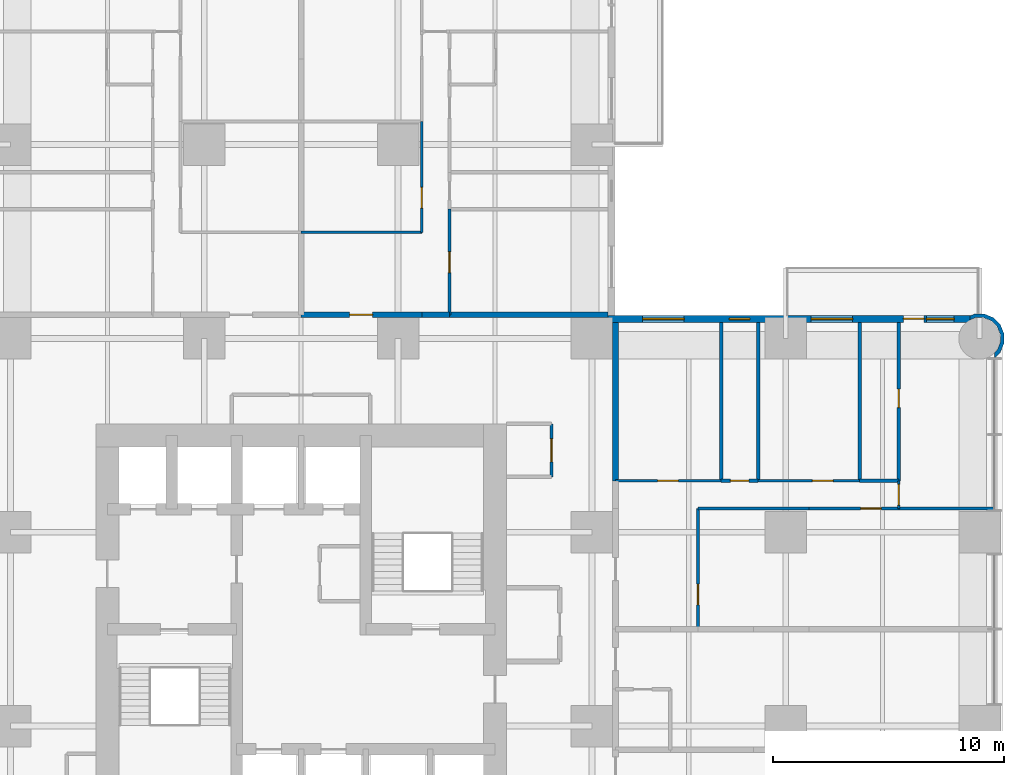
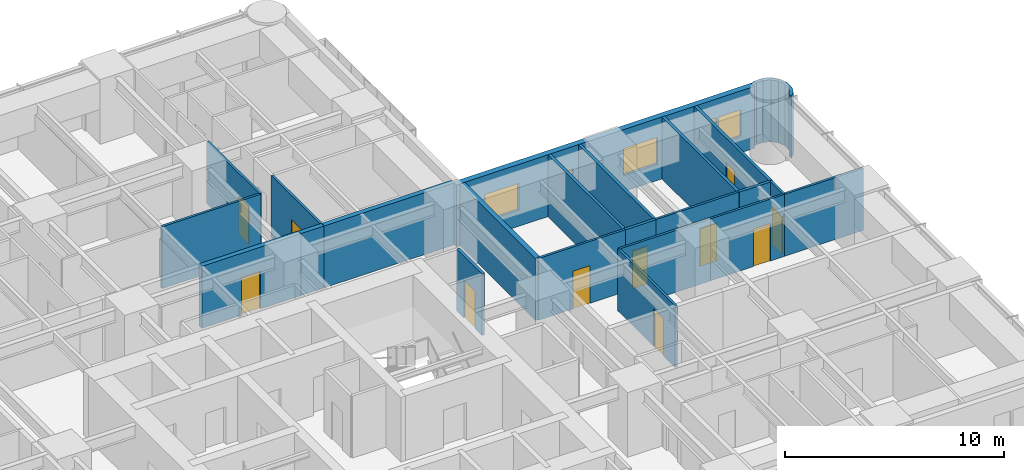
# One storey, part 14 of 17: 23 walls, 12 doors, 4 windows, 16 openings.
"""IFC4 building model written with IfcOpenShell, lengths in metres."""

from ifc_helpers import new_model, si_unit, direction, frame, frame_2d, origin, place, context, subcontext, project, spatial, polyline, rectangle, outline, extrude, material, layer, layer_set, type_object, element, fill, save


model = new_model("IFC4")

# Units and contexts
model_context = context("Model", 3, precision=1e-05, world=origin(), true_north=direction((0.0, 1.0)))
body_context = subcontext(model_context, "Body", "Model", "MODEL_VIEW")
ifc_project = project(units=[si_unit("LENGTHUNIT", "METRE"), si_unit("AREAUNIT", "SQUARE_METRE"), si_unit("VOLUMEUNIT", "CUBIC_METRE"), si_unit("PLANEANGLEUNIT", "RADIAN"), si_unit("MASSUNIT", "GRAM", prefix="KILO")], contexts=[model_context])

# Site, building, storey
site_placement = place(None, origin())
site = spatial("IfcSite", under=ifc_project, at=site_placement, CompositionType="ELEMENT")
building_placement = place(site_placement, origin())
building = spatial("IfcBuilding", under=site, at=building_placement, Name="Torre Alcanfor", CompositionType="ELEMENT")
storey_placement = place(building_placement, frame((0.0, 0.0, 59.699951171875)))
storey = spatial("IfcBuildingStorey", under=building, at=storey_placement, Name="L14", CompositionType="ELEMENT", Elevation=59.699951171875)

# Wall, opening, door
ifc_material_1 = material(Name="Concrete block masonry, hollow blocks NMX-C-404 9 MPa", Category="masonry")
ifc_layer_1 = layer(ifc_material_1, 0.25)
ifc_layer_set_1 = layer_set([ifc_layer_1], Name="Apartment entrance wall 250 EI 60")
wall_type_1 = type_object("IfcWallType", Name="Apartment entrance wall 250 EI 60", PredefinedType="PARTITIONING", material=ifc_layer_set_1)
wall_1_placement = place(storey_placement, frame((29.39990234375, 43.02490234375, 0.0), z_axis=(0.0, 0.0, 1.0), x_axis=(1.0, 0.0, 0.0)))
wall_1 = element("IfcWall", 1, at=wall_1_placement, inside=storey, type_object=wall_type_1, Name="Partition L14-CORR / L14-N2-ZAG", PredefinedType="PARTITIONING", context=body_context, shape_type="SweptSolid", body=[
    extrude(rectangle(XDim=5.22900390625, YDim=0.25, at=frame_2d((2.614501953125, 0.0))), origin(), (0.0, 0.0, 1.0), 3.449951171875),
])
opening_1_placement = place(wall_1_placement, frame((2.10009765625, 0.0, 0.0)))
opening_1 = element("IfcOpeningElement", 2, at=opening_1_placement, cuts=wall_1, Name="Opening D-A1", PredefinedType="OPENING", context=body_context, shape_type="SweptSolid", body=[
    extrude(rectangle(XDim=1.0, YDim=2.10009765625, at=frame_2d((0.5, 1.050048828125))), frame((0.0, 0.135009765625, 0.0), z_axis=(0.0, -1.0, 0.0), x_axis=(1.0, 0.0, 0.0)), (0.0, 0.0, 1.0), 0.27001953125),
])
ifc_material_2 = material(Name="Galvanised steel sheet ASTM A653", Category="steel")
door_type_1 = type_object("IfcDoorType", Name="Apartment entrance door FD60 1000x2100", OperationType="SINGLE_SWING_LEFT", PredefinedType="DOOR", material=ifc_material_2)
door_1_placement = place(opening_1_placement, origin())
door_1 = element("IfcDoor", 3, at=door_1_placement, inside=storey, type_object=door_type_1, Name="Apartment entrance L14-N2", OperationType="SINGLE_SWING_LEFT", OverallHeight=2.10009765625, OverallWidth=1.0, PredefinedType="DOOR", context=body_context, shape_type="SweptSolid", body=[
    extrude(rectangle(XDim=1.0, YDim=2.10009765625, at=frame_2d((0.5, 1.050048828125))), frame((0.0, 0.02490234375, 0.0), z_axis=(0.0, -1.0, 0.0), x_axis=(1.0, 0.0, 0.0)), (0.0, 0.0, 1.0), 0.050048828125),
])
fill(opening_1, door_1)

# Walls
wall_2_placement = place(storey_placement, frame((34.62890625, 43.02490234375, 0.0), z_axis=(0.0, 0.0, 1.0), x_axis=(1.0, 0.0, 0.0)))
element("IfcWall", 4, at=wall_2_placement, inside=storey, type_object=wall_type_1, Name="Partition L14-CORR / L14-N2-HALL", PredefinedType="PARTITIONING", context=body_context, shape_type="SweptSolid", body=[
    extrude(rectangle(XDim=1.2001953125, YDim=0.25, at=frame_2d((0.60009765625, 0.0))), origin(), (0.0, 0.0, 1.0), 3.449951171875),
])
for number, where, z_axis, x_axis, name in (
    (5, (35.8291015625, 43.02490234375, 0.0), (0.0, 0.0, 1.0), (1.0, 0.0, 0.0), "Partition L14-CORR / L14-N2-BED2"),
    (6, (43.02490234375, 42.699951171875, 0.0), (0.0, 0.0, 1.0), (0.0, -1.0, 0.0), "Partition L14-CORR / L14-E1-BED3"),
):
    element("IfcWall", number, at=place(storey_placement, frame(where, z_axis=z_axis, x_axis=x_axis)), inside=storey, type_object=wall_type_1, Name=name, PredefinedType="PARTITIONING", context=body_context, shape_type="SweptSolid", body=[
        extrude(rectangle(XDim=6.870849609375, YDim=0.25, at=frame_2d((3.435546875, 0.0))), origin(), (0.0, 0.0, 1.0), 3.449951171875),
    ])
ifc_material_3 = material(Name="Gypsum board on steel studs", Category="steel")
ifc_layer_2 = layer(ifc_material_3, 0.1201171875)
ifc_layer_set_2 = layer_set([ifc_layer_2], Name="Apartment partition 120")
wall_type_2 = type_object("IfcWallType", Name="Apartment partition 120", PredefinedType="PARTITIONING", material=ifc_layer_set_2)
wall_3_placement = place(storey_placement, frame((29.39990234375, 46.60009765625, 0.0), z_axis=(0.0, 0.0, 1.0), x_axis=(1.0, 0.0, 0.0)))
element("IfcWall", 7, at=wall_3_placement, inside=storey, type_object=wall_type_2, Name="Partition L14-N2-ZAG / L14-N2-FAMILY", PredefinedType="PARTITIONING", context=body_context, shape_type="SweptSolid", body=[
    extrude(rectangle(XDim=5.22900390625, YDim=0.1201171875, at=frame_2d((2.614501953125, 0.0))), origin(), (0.0, 0.0, 1.0), 3.449951171875),
])

# Wall, opening, door
wall_4_placement = place(storey_placement, frame((34.62890625, 51.39990234375, 0.0), z_axis=(0.0, 0.0, 1.0), x_axis=(0.0, -1.0, 0.0)))
wall_4 = element("IfcWall", 8, at=wall_4_placement, inside=storey, type_object=wall_type_2, Name="Partition L14-N2-FAMILY / L14-N2-HALL", PredefinedType="PARTITIONING", context=body_context, shape_type="SweptSolid", body=[
    extrude(rectangle(XDim=4.7998046875, YDim=0.1201171875, at=frame_2d((2.39990234375, 0.0))), origin(), (0.0, 0.0, 1.0), 3.449951171875),
])
opening_2_placement = place(wall_4_placement, frame((2.85009765625, 0.0, 0.0)))
opening_2 = element("IfcOpeningElement", 9, at=opening_2_placement, cuts=wall_4, Name="Opening D-R1", PredefinedType="OPENING", context=body_context, shape_type="SweptSolid", body=[
    extrude(rectangle(XDim=0.89990234375, YDim=2.10009765625, at=frame_2d((0.449951171875, 1.050048828125))), frame((0.0, 0.070068359375, 0.0), z_axis=(0.0, -1.0, 0.0), x_axis=(1.0, 0.0, 0.0)), (0.0, 0.0, 1.0), 0.14013671875),
])
ifc_material_4 = material(Name="Timber", Category="wood")
door_type_2 = type_object("IfcDoorType", Name="Internal door 900x2100", OperationType="SINGLE_SWING_LEFT", PredefinedType="DOOR", material=ifc_material_4)
door_2_placement = place(opening_2_placement, frame((0.89990234375, 0.0, 0.0), z_axis=(0.0, 0.0, 1.0), x_axis=(-1.0, 0.0, 0.0)))
door_2 = element("IfcDoor", 10, at=door_2_placement, inside=storey, type_object=door_type_2, Name="Door L14-N2 family", OperationType="SINGLE_SWING_LEFT", OverallHeight=2.10009765625, OverallWidth=0.89990234375, PredefinedType="DOOR", context=body_context, shape_type="SweptSolid", body=[
    extrude(rectangle(XDim=0.89990234375, YDim=2.10009765625, at=frame_2d((0.449951171875, 1.050048828125))), frame((0.0, 0.025146484375, 0.0), z_axis=(0.0, -1.0, 0.0), x_axis=(1.0, 0.0, 0.0)), (0.0, 0.0, 1.0), 0.050048828125),
])
fill(opening_2, door_2)

wall_5_placement = place(storey_placement, frame((35.8291015625, 47.60009765625, 0.0), z_axis=(0.0, 0.0, 1.0), x_axis=(0.0, -1.0, 0.0)))
wall_5 = element("IfcWall", 11, at=wall_5_placement, inside=storey, type_object=wall_type_2, Name="Partition L14-N2-HALL / L14-N2-BED2", PredefinedType="PARTITIONING", context=body_context, shape_type="SweptSolid", body=[
    extrude(rectangle(XDim=4.5751953125, YDim=0.1201171875, at=frame_2d((2.28759765625, 0.0))), origin(), (0.0, 0.0, 1.0), 3.449951171875),
])
opening_3_placement = place(wall_5_placement, frame((1.85009765625, 0.0, 0.0)))
opening_3 = element("IfcOpeningElement", 12, at=opening_3_placement, cuts=wall_5, Name="Opening D-R1", PredefinedType="OPENING", context=body_context, shape_type="SweptSolid", body=[
    extrude(rectangle(XDim=0.89990234375, YDim=2.10009765625, at=frame_2d((0.449951171875, 1.050048828125))), frame((0.0, 0.070068359375, 0.0), z_axis=(0.0, -1.0, 0.0), x_axis=(1.0, 0.0, 0.0)), (0.0, 0.0, 1.0), 0.14013671875),
])
door_3_placement = place(opening_3_placement, origin())
door_3 = element("IfcDoor", 13, at=door_3_placement, inside=storey, type_object=door_type_2, Name="Door L14-N2 bed2", OperationType="SINGLE_SWING_RIGHT", OverallHeight=2.10009765625, OverallWidth=0.89990234375, PredefinedType="DOOR", context=body_context, shape_type="SweptSolid", body=[
    extrude(rectangle(XDim=0.89990234375, YDim=2.10009765625, at=frame_2d((0.449951171875, 1.050048828125))), frame((0.0, 0.02490234375, 0.0), z_axis=(0.0, -1.0, 0.0), x_axis=(1.0, 0.0, 0.0)), (0.0, 0.0, 1.0), 0.050048828125),
])
fill(opening_3, door_3)

wall_6_placement = place(storey_placement, frame((46.60009765625, 29.39990234375, 0.0), z_axis=(0.0, 0.0, 1.0), x_axis=(0.0, 1.0, 0.0)))
wall_6 = element("IfcWall", 14, at=wall_6_placement, inside=storey, type_object=wall_type_2, Name="Partition L14-E1-ZAG / L14-E1-KITCHEN", PredefinedType="PARTITIONING", context=body_context, shape_type="SweptSolid", body=[
    extrude(rectangle(XDim=5.22900390625, YDim=0.1201171875, at=frame_2d((2.614501953125, 0.0))), origin(), (0.0, 0.0, 1.0), 3.449951171875),
])
opening_4_placement = place(wall_6_placement, frame((1.050048828125, 0.0, 0.0)))
opening_4 = element("IfcOpeningElement", 15, at=opening_4_placement, cuts=wall_6, Name="Opening D-R1", PredefinedType="OPENING", context=body_context, shape_type="SweptSolid", body=[
    extrude(rectangle(XDim=0.89990234375, YDim=2.10009765625, at=frame_2d((0.449951171875, 1.050048828125))), frame((0.0, 0.070068359375, 0.0), z_axis=(0.0, -1.0, 0.0), x_axis=(1.0, 0.0, 0.0)), (0.0, 0.0, 1.0), 0.14013671875),
])
door_4_placement = place(opening_4_placement, frame((0.89990234375, 0.0, 0.0), z_axis=(0.0, 0.0, 1.0), x_axis=(-1.0, 0.0, 0.0)))
door_4 = element("IfcDoor", 16, at=door_4_placement, inside=storey, type_object=door_type_2, Name="Door L14-E1 kitchen", OperationType="SINGLE_SWING_RIGHT", OverallHeight=2.10009765625, OverallWidth=0.89990234375, PredefinedType="DOOR", context=body_context, shape_type="SweptSolid", body=[
    extrude(rectangle(XDim=0.89990234375, YDim=2.10009765625, at=frame_2d((0.449951171875, 1.050048828125))), frame((0.0, 0.025146484375, 0.0), z_axis=(0.0, -1.0, 0.0), x_axis=(1.0, 0.0, 0.0)), (0.0, 0.0, 1.0), 0.050048828125),
])
fill(opening_4, door_4)

# Wall
wall_7_placement = place(storey_placement, frame((51.39990234375, 34.62890625, 0.0), z_axis=(0.0, 0.0, 1.0), x_axis=(-1.0, 0.0, 0.0)))
element("IfcWall", 17, at=wall_7_placement, inside=storey, type_object=wall_type_2, Name="Partition L14-E1-KITCHEN / L14-E1-HALL", PredefinedType="PARTITIONING", context=body_context, shape_type="SweptSolid", body=[
    extrude(rectangle(XDim=4.7998046875, YDim=0.1201171875, at=frame_2d((2.39990234375, 0.0))), origin(), (0.0, 0.0, 1.0), 3.449951171875),
])

# Wall, opening, door
wall_8_placement = place(storey_placement, frame((55.300048828125, 34.62890625, 0.0), z_axis=(0.0, 0.0, 1.0), x_axis=(-1.0, 0.0, 0.0)))
wall_8 = element("IfcWall", 18, at=wall_8_placement, inside=storey, type_object=wall_type_2, Name="Partition L14-E1-LIVING / L14-E1-HALL", PredefinedType="PARTITIONING", context=body_context, shape_type="SweptSolid", body=[
    extrude(rectangle(XDim=3.900146484375, YDim=0.1201171875, at=frame_2d((1.9501953125, 0.0))), origin(), (0.0, 0.0, 1.0), 3.449951171875),
])
opening_5_placement = place(wall_8_placement, frame((0.75, 0.0, 0.0)))
opening_5 = element("IfcOpeningElement", 19, at=opening_5_placement, cuts=wall_8, Name="Opening D-R1", PredefinedType="OPENING", context=body_context, shape_type="SweptSolid", body=[
    extrude(rectangle(XDim=0.89990234375, YDim=2.10009765625, at=frame_2d((0.449951171875, 1.050048828125))), frame((0.0, 0.070068359375, 0.0), z_axis=(0.0, -1.0, 0.0), x_axis=(1.0, 0.0, 0.0)), (0.0, 0.0, 1.0), 0.14013671875),
])
door_5_placement = place(opening_5_placement, origin())
door_5 = element("IfcDoor", 20, at=door_5_placement, inside=storey, type_object=door_type_2, Name="Door L14-E1 living", OperationType="SINGLE_SWING_RIGHT", OverallHeight=2.10009765625, OverallWidth=0.89990234375, PredefinedType="DOOR", context=body_context, shape_type="SweptSolid", body=[
    extrude(rectangle(XDim=0.89990234375, YDim=2.10009765625, at=frame_2d((0.449951171875, 1.050048828125))), frame((0.0, 0.02490234375, 0.0), z_axis=(0.0, -1.0, 0.0), x_axis=(1.0, 0.0, 0.0)), (0.0, 0.0, 1.0), 0.050048828125),
])
fill(opening_5, door_5)

# Wall
wall_9_placement = place(storey_placement, frame((59.449951171875, 34.62890625, 0.0), z_axis=(0.0, 0.0, 1.0), x_axis=(-1.0, 0.0, 0.0)))
element("IfcWall", 21, at=wall_9_placement, inside=storey, type_object=wall_type_2, Name="Partition L14-E1-LIVING / L14-E1-MASTER", PredefinedType="PARTITIONING", context=body_context, shape_type="SweptSolid", body=[
    extrude(rectangle(XDim=4.14990234375, YDim=0.1201171875, at=frame_2d((2.074951171875, 0.0))), origin(), (0.0, 0.0, 1.0), 3.449951171875),
])

# Wall, opening, door
wall_10_placement = place(storey_placement, frame((47.60009765625, 35.8291015625, 0.0), z_axis=(0.0, 0.0, 1.0), x_axis=(-1.0, 0.0, 0.0)))
wall_10 = element("IfcWall", 22, at=wall_10_placement, inside=storey, type_object=wall_type_2, Name="Partition L14-E1-HALL / L14-E1-BED3", PredefinedType="PARTITIONING", context=body_context, shape_type="SweptSolid", body=[
    extrude(rectangle(XDim=4.5751953125, YDim=0.1201171875, at=frame_2d((2.28759765625, 0.0))), origin(), (0.0, 0.0, 1.0), 3.449951171875),
])
opening_6_placement = place(wall_10_placement, frame((1.85009765625, 0.0, 0.0)))
opening_6 = element("IfcOpeningElement", 23, at=opening_6_placement, cuts=wall_10, Name="Opening D-R1", PredefinedType="OPENING", context=body_context, shape_type="SweptSolid", body=[
    extrude(rectangle(XDim=0.89990234375, YDim=2.10009765625, at=frame_2d((0.449951171875, 1.050048828125))), frame((0.0, 0.070068359375, 0.0), z_axis=(0.0, -1.0, 0.0), x_axis=(1.0, 0.0, 0.0)), (0.0, 0.0, 1.0), 0.14013671875),
])
door_6_placement = place(opening_6_placement, frame((0.89990234375, 0.0, 0.0), z_axis=(0.0, 0.0, 1.0), x_axis=(-1.0, 0.0, 0.0)))
door_6 = element("IfcDoor", 24, at=door_6_placement, inside=storey, type_object=door_type_2, Name="Door L14-E1 bed3", OperationType="SINGLE_SWING_LEFT", OverallHeight=2.10009765625, OverallWidth=0.89990234375, PredefinedType="DOOR", context=body_context, shape_type="SweptSolid", body=[
    extrude(rectangle(XDim=0.89990234375, YDim=2.10009765625, at=frame_2d((0.449951171875, 1.050048828125))), frame((0.0, 0.025146484375, 0.0), z_axis=(0.0, -1.0, 0.0), x_axis=(1.0, 0.0, 0.0)), (0.0, 0.0, 1.0), 0.050048828125),
])
fill(opening_6, door_6)

wall_11_placement = place(storey_placement, frame((53.60009765625, 35.8291015625, 0.0), z_axis=(0.0, 0.0, 1.0), x_axis=(-1.0, 0.0, 0.0)))
wall_11 = element("IfcWall", 25, at=wall_11_placement, inside=storey, type_object=wall_type_2, Name="Partition L14-E1-HALL / L14-E1-BED2", PredefinedType="PARTITIONING", context=body_context, shape_type="SweptSolid", body=[
    extrude(rectangle(XDim=4.400146484375, YDim=0.1201171875, at=frame_2d((2.2001953125, 0.0))), origin(), (0.0, 0.0, 1.0), 3.449951171875),
])
opening_7_placement = place(wall_11_placement, frame((1.14990234375, 0.0, 0.0)))
opening_7 = element("IfcOpeningElement", 26, at=opening_7_placement, cuts=wall_11, Name="Opening D-R1", PredefinedType="OPENING", context=body_context, shape_type="SweptSolid", body=[
    extrude(rectangle(XDim=0.89990234375, YDim=2.10009765625, at=frame_2d((0.449951171875, 1.050048828125))), frame((0.0, 0.070068359375, 0.0), z_axis=(0.0, -1.0, 0.0), x_axis=(1.0, 0.0, 0.0)), (0.0, 0.0, 1.0), 0.14013671875),
])
door_7_placement = place(opening_7_placement, frame((0.89990234375, 0.0, 0.0), z_axis=(0.0, 0.0, 1.0), x_axis=(-1.0, 0.0, 0.0)))
door_7 = element("IfcDoor", 27, at=door_7_placement, inside=storey, type_object=door_type_2, Name="Door L14-E1 bed2", OperationType="SINGLE_SWING_RIGHT", OverallHeight=2.10009765625, OverallWidth=0.89990234375, PredefinedType="DOOR", context=body_context, shape_type="SweptSolid", body=[
    extrude(rectangle(XDim=0.89990234375, YDim=2.10009765625, at=frame_2d((0.449951171875, 1.050048828125))), frame((0.0, 0.025146484375, 0.0), z_axis=(0.0, -1.0, 0.0), x_axis=(1.0, 0.0, 0.0)), (0.0, 0.0, 1.0), 0.050048828125),
])
fill(opening_7, door_7)

wall_12_placement = place(storey_placement, frame((55.300048828125, 34.62890625, 0.0), z_axis=(0.0, 0.0, 1.0), x_axis=(0.0, 1.0, 0.0)))
wall_12 = element("IfcWall", 28, at=wall_12_placement, inside=storey, type_object=wall_type_2, Name="Partition L14-E1-HALL / L14-E1-MASTER", PredefinedType="PARTITIONING", context=body_context, shape_type="SweptSolid", body=[
    extrude(rectangle(XDim=1.2001953125, YDim=0.1201171875, at=frame_2d((0.60009765625, 0.0))), origin(), (0.0, 0.0, 1.0), 3.449951171875),
])
opening_8_placement = place(wall_12_placement, frame((0.15087890625, 0.0, 0.0)))
opening_8 = element("IfcOpeningElement", 29, at=opening_8_placement, cuts=wall_12, Name="Opening D-R1", PredefinedType="OPENING", context=body_context, shape_type="SweptSolid", body=[
    extrude(rectangle(XDim=0.89990234375, YDim=2.10009765625, at=frame_2d((0.449951171875, 1.050048828125))), frame((0.0, 0.070068359375, 0.0), z_axis=(0.0, -1.0, 0.0), x_axis=(1.0, 0.0, 0.0)), (0.0, 0.0, 1.0), 0.14013671875),
])
door_8_placement = place(opening_8_placement, frame((0.89990234375, 0.0, 0.0), z_axis=(0.0, 0.0, 1.0), x_axis=(-1.0, 0.0, 0.0)))
door_8 = element("IfcDoor", 30, at=door_8_placement, inside=storey, type_object=door_type_2, Name="Door L14-E1 master", OperationType="SINGLE_SWING_RIGHT", OverallHeight=2.10009765625, OverallWidth=0.89990234375, PredefinedType="DOOR", context=body_context, shape_type="SweptSolid", body=[
    extrude(rectangle(XDim=0.89990234375, YDim=2.10009765625, at=frame_2d((0.449951171875, 1.050048828125))), frame((0.0, 0.025146484375, 0.0), z_axis=(0.0, -1.0, 0.0), x_axis=(1.0, 0.0, 0.0)), (0.0, 0.0, 1.0), 0.050048828125),
])
fill(opening_8, door_8)

# Wall, openings, door, windows
ifc_material_5 = material(Name="Limestone cladding", Category="masonry")
ifc_layer_3 = layer(ifc_material_5, 0.0400390625, Name="Facing")
ifc_material_6 = material(Name="Ventilated air cavity")
ifc_layer_4 = layer(ifc_material_6, 0.02001953125, ventilated=True, Name="Ventilated joint")
ifc_material_7 = material(Name="Mineral wool insulation", Category="insulation")
ifc_layer_5 = layer(ifc_material_7, 0.10009765625, Name="Insulation")
ifc_material_8 = material(Name="Concrete f'c 35 MPa", Category="concrete")
ifc_layer_6 = layer(ifc_material_8, 0.139892578125, Name="Backing")
ifc_layer_set_3 = layer_set([ifc_layer_3, ifc_layer_4, ifc_layer_5, ifc_layer_6], Name="External wall stone-clad 300")
wall_type_3 = type_object("IfcWallType", Name="External wall stone-clad 300", PredefinedType="SOLIDWALL", material=ifc_layer_set_3)
wall_13_placement = place(storey_placement, frame((58.39990234375, 42.85009765625, 0.0), z_axis=(0.0, 0.0, 1.0), x_axis=(-1.0, 0.0, 0.0)))
wall_13 = element("IfcWall", 31, at=wall_13_placement, inside=storey, type_object=wall_type_3, Name="External wall L14 9", PredefinedType="SOLIDWALL", context=body_context, shape_type="SweptSolid", body=[
    extrude(rectangle(XDim=15.699951171875, YDim=0.300048828125, at=frame_2d((7.85009765625, 0.0))), origin(), (0.0, 0.0, 1.0), 3.449951171875),
])
opening_9_placement = place(wall_13_placement, frame((12.39990234375, 0.0, 0.89990234375)))
opening_9 = element("IfcOpeningElement", 32, at=opening_9_placement, cuts=wall_13, Name="Opening W2", PredefinedType="OPENING", context=body_context, shape_type="SweptSolid", body=[
    extrude(rectangle(XDim=1.800048828125, YDim=1.5, at=frame_2d((0.89990234375, 0.75))), frame((0.0, 0.159912109375, 0.0), z_axis=(0.0, -1.0, 0.0), x_axis=(1.0, 0.0, 0.0)), (0.0, 0.0, 1.0), 0.320068359375),
])
opening_10_placement = place(wall_13_placement, frame((9.550048828125, 0.0, 1.5)))
opening_10 = element("IfcOpeningElement", 33, at=opening_10_placement, cuts=wall_13, Name="Opening W3", PredefinedType="OPENING", context=body_context, shape_type="SweptSolid", body=[
    extrude(rectangle(XDim=0.89990234375, YDim=0.699951171875, at=frame_2d((0.449951171875, 0.35009765625))), frame((0.0, 0.159912109375, 0.0), z_axis=(0.0, -1.0, 0.0), x_axis=(1.0, 0.0, 0.0)), (0.0, 0.0, 1.0), 0.320068359375),
])
opening_11_placement = place(wall_13_placement, frame((5.10009765625, 0.0, 0.89990234375)))
opening_11 = element("IfcOpeningElement", 34, at=opening_11_placement, cuts=wall_13, Name="Opening W2", PredefinedType="OPENING", context=body_context, shape_type="SweptSolid", body=[
    extrude(rectangle(XDim=1.800048828125, YDim=1.5, at=frame_2d((0.89990234375, 0.75))), frame((0.0, 0.159912109375, 0.0), z_axis=(0.0, -1.0, 0.0), x_axis=(1.0, 0.0, 0.0)), (0.0, 0.0, 1.0), 0.320068359375),
])
opening_12_placement = place(wall_13_placement, frame((2.0, 0.0, 0.0)))
opening_12 = element("IfcOpeningElement", 35, at=opening_12_placement, cuts=wall_13, Name="Opening D-B1", PredefinedType="OPENING", context=body_context, shape_type="SweptSolid", body=[
    extrude(rectangle(XDim=0.89990234375, YDim=2.39990234375, at=frame_2d((0.449951171875, 1.199951171875))), frame((0.0, 0.159912109375, 0.0), z_axis=(0.0, -1.0, 0.0), x_axis=(1.0, 0.0, 0.0)), (0.0, 0.0, 1.0), 0.320068359375),
])
opening_13_placement = place(wall_13_placement, frame((0.699951171875, 0.0, 0.89990234375)))
opening_13 = element("IfcOpeningElement", 36, at=opening_13_placement, cuts=wall_13, Name="Opening W4", PredefinedType="OPENING", context=body_context, shape_type="SweptSolid", body=[
    extrude(rectangle(XDim=1.199951171875, YDim=1.5, at=frame_2d((0.60009765625, 0.75))), frame((0.0, 0.159912109375, 0.0), z_axis=(0.0, -1.0, 0.0), x_axis=(1.0, 0.0, 0.0)), (0.0, 0.0, 1.0), 0.320068359375),
])
ifc_material_9 = material(Name="Aluminium and glass", Category="aluminium")
door_type_3 = type_object("IfcDoorType", Name="Balcony door glazed 900x2400", OperationType="SINGLE_SWING_LEFT", PredefinedType="DOOR", material=ifc_material_9)
door_9_placement = place(opening_12_placement, origin())
door_9 = element("IfcDoor", 37, at=door_9_placement, inside=storey, type_object=door_type_3, Name="Balcony door L14-E1", OperationType="SINGLE_SWING_RIGHT", OverallHeight=2.39990234375, OverallWidth=0.89990234375, PredefinedType="DOOR", context=body_context, shape_type="SweptSolid", body=[
    extrude(rectangle(XDim=0.89990234375, YDim=2.39990234375, at=frame_2d((0.449951171875, 1.199951171875))), frame((0.0, 0.02490234375, 0.0), z_axis=(0.0, -1.0, 0.0), x_axis=(1.0, 0.0, 0.0)), (0.0, 0.0, 1.0), 0.050048828125),
])
fill(opening_12, door_9)
ifc_material_10 = material(Name="Aluminium frame with clear double glazing", Category="aluminium")
window_type_1 = type_object("IfcWindowType", Name="Window bathroom 900x700", PartitioningType="SINGLE_PANEL", PredefinedType="WINDOW", material=ifc_material_10)
window_1_placement = place(opening_10_placement, origin())
window_1 = element("IfcWindow", 38, at=window_1_placement, inside=storey, type_object=window_type_1, Name="Window W3 L14-E1", OverallHeight=0.699951171875, OverallWidth=0.89990234375, PartitioningType="SINGLE_PANEL", PredefinedType="WINDOW", context=body_context, shape_type="SweptSolid", body=[
    extrude(rectangle(XDim=0.89990234375, YDim=0.699951171875, at=frame_2d((0.449951171875, 0.35009765625))), frame((0.0, 0.030029296875, 0.0), z_axis=(0.0, -1.0, 0.0), x_axis=(1.0, 0.0, 0.0)), (0.0, 0.0, 1.0), 0.06005859375),
])
fill(opening_10, window_1)
ifc_material_11 = material(Name="Aluminium frame with clear double glazing", Category="aluminium")
window_type_2 = type_object("IfcWindowType", Name="Window bedroom 1200x1500", PartitioningType="SINGLE_PANEL", PredefinedType="WINDOW", material=ifc_material_11)
window_2_placement = place(opening_13_placement, origin())
window_2 = element("IfcWindow", 39, at=window_2_placement, inside=storey, type_object=window_type_2, Name="Window W4 L14-E1", OverallHeight=1.5, OverallWidth=1.199951171875, PartitioningType="SINGLE_PANEL", PredefinedType="WINDOW", context=body_context, shape_type="SweptSolid", body=[
    extrude(rectangle(XDim=1.199951171875, YDim=1.5, at=frame_2d((0.60009765625, 0.75))), frame((0.0, 0.030029296875, 0.0), z_axis=(0.0, -1.0, 0.0), x_axis=(1.0, 0.0, 0.0)), (0.0, 0.0, 1.0), 0.06005859375),
])
fill(opening_13, window_2)
ifc_material_12 = material(Name="Aluminium frame with clear double glazing", Category="aluminium")
window_type_3 = type_object("IfcWindowType", Name="Window bedroom 1800x1500", PartitioningType="SINGLE_PANEL", PredefinedType="WINDOW", material=ifc_material_12)
window_3_placement = place(opening_9_placement, origin())
window_3 = element("IfcWindow", 40, at=window_3_placement, inside=storey, type_object=window_type_3, Name="Window W2 L14-E1", OverallHeight=1.5, OverallWidth=1.800048828125, PartitioningType="SINGLE_PANEL", PredefinedType="WINDOW", context=body_context, shape_type="SweptSolid", body=[
    extrude(rectangle(XDim=1.800048828125, YDim=1.5, at=frame_2d((0.89990234375, 0.75))), frame((0.0, 0.030029296875, 0.0), z_axis=(0.0, -1.0, 0.0), x_axis=(1.0, 0.0, 0.0)), (0.0, 0.0, 1.0), 0.06005859375),
])
fill(opening_9, window_3)
window_4_placement = place(opening_11_placement, origin())
window_4 = element("IfcWindow", 41, at=window_4_placement, inside=storey, type_object=window_type_3, Name="Window W2 L14-E1", OverallHeight=1.5, OverallWidth=1.800048828125, PartitioningType="SINGLE_PANEL", PredefinedType="WINDOW", context=body_context, shape_type="SweptSolid", body=[
    extrude(rectangle(XDim=1.800048828125, YDim=1.5, at=frame_2d((0.89990234375, 0.75))), frame((0.0, 0.030029296875, 0.0), z_axis=(0.0, -1.0, 0.0), x_axis=(1.0, 0.0, 0.0)), (0.0, 0.0, 1.0), 0.06005859375),
])
fill(opening_11, window_4)

# Wall, opening, door
ifc_material_13 = material(Name="Concrete block masonry, hollow blocks NMX-C-404 9 MPa", Category="masonry")
ifc_layer_7 = layer(ifc_material_13, 0.14990234375)
ifc_layer_set_4 = layer_set([ifc_layer_7], Name="Residents' room partition 150")
wall_type_4 = type_object("IfcWallType", Name="Residents' room partition 150", PredefinedType="PARTITIONING", material=ifc_layer_set_4)
wall_14_placement = place(storey_placement, frame((40.25, 36.0, 0.0), z_axis=(0.0, 0.0, 1.0), x_axis=(0.0, 1.0, 0.0)))
wall_14 = element("IfcWall", 42, at=wall_14_placement, inside=storey, type_object=wall_type_4, Name="Partition L14-CORR / L14-G03", PredefinedType="PARTITIONING", context=body_context, shape_type="SweptSolid", body=[
    extrude(rectangle(XDim=2.300048828125, YDim=0.14990234375, at=frame_2d((1.14990234375, 0.0))), origin(), (0.0, 0.0, 1.0), 3.449951171875),
])
opening_14_placement = place(wall_14_placement, frame((0.64990234375, 0.0, 0.0)))
opening_14 = element("IfcOpeningElement", 43, at=opening_14_placement, cuts=wall_14, Name="Opening D-M1", PredefinedType="OPENING", context=body_context, shape_type="SweptSolid", body=[
    extrude(rectangle(XDim=1.0, YDim=2.10009765625, at=frame_2d((0.5, 1.050048828125))), frame((0.0, 0.0849609375, 0.0), z_axis=(0.0, -1.0, 0.0), x_axis=(1.0, 0.0, 0.0)), (0.0, 0.0, 1.0), 0.169921875),
])
ifc_material_14 = material(Name="Timber", Category="wood")
door_type_4 = type_object("IfcDoorType", Name="Residents' room door 1000x2100", OperationType="SINGLE_SWING_LEFT", PredefinedType="DOOR", material=ifc_material_14)
door_10_placement = place(opening_14_placement, origin())
door_10 = element("IfcDoor", 44, at=door_10_placement, inside=storey, type_object=door_type_4, Name="Door L14-G03 parcel room", OperationType="SINGLE_SWING_LEFT", OverallHeight=2.10009765625, OverallWidth=1.0, PredefinedType="DOOR", context=body_context, shape_type="SweptSolid", body=[
    extrude(rectangle(XDim=1.0, YDim=2.10009765625, at=frame_2d((0.5, 1.050048828125))), frame((0.0, 0.02490234375, 0.0), z_axis=(0.0, -1.0, 0.0), x_axis=(1.0, 0.0, 0.0)), (0.0, 0.0, 1.0), 0.050048828125),
])
fill(opening_14, door_10)

# Wall
ifc_layer_8 = layer(ifc_material_5, 0.0400390625, Name="Facing")
ifc_layer_9 = layer(ifc_material_6, 0.02001953125, ventilated=True, Name="Ventilated joint")
ifc_layer_10 = layer(ifc_material_7, 0.10009765625, Name="Insulation")
ifc_layer_11 = layer(ifc_material_8, 0.139892578125, Name="Backing")
ifc_layer_set_5 = layer_set([ifc_layer_8, ifc_layer_9, ifc_layer_10, ifc_layer_11], Name="Rounded corner pier stone-clad 300")
wall_type_5 = type_object("IfcWallType", Name="Rounded corner pier stone-clad 300", PredefinedType="SOLIDWALL", material=ifc_layer_set_5)
wall_15_placement = place(storey_placement, frame((59.410519256, 41.23340608, 0.0), z_axis=(0.0, 0.0, 1.0), x_axis=(0.926129809145, 0.377204953059, 0.0)))
element("IfcWall", 45, at=wall_15_placement, inside=storey, type_object=wall_type_5, Name="Corner pier L14 18", PredefinedType="SOLIDWALL", context=body_context, shape_type="SweptSolid", body=[
    extrude(outline(polyline([(0.6260654471319579, 0.34524919711057256), (0.7850146045978224, 0.7355079985228963), (0.7823098124660501, 1.1573373086599013), (0.6187697625812524, 1.546081906916958), (0.31877691555394516, 1.8425152342918512), (-0.07170799176881437, 2.0015564828107086), (-0.24004949470661174, 2.000526523212158), (-0.2695944713928893, 2.0173049949130335), (-0.36998902843916337, 1.8407134525266757), (-0.10235758996356603, 1.8421635923174307), (0.22956588655630128, 1.7069739265237522), (0.4845024203782949, 1.4552530429107593), (0.6236098424040335, 1.1249645948716174), (0.6257138051575375, 0.7663837026280839), (0.49052413936385914, 0.43446022610821644), (0.23848505878743742, 0.1793896774287799), (0.09020527382959523, 0.11693875386038477), (0.010914877202648991, -0.0777384350249053), (0.02448123182880161, -0.08326389820448342), (0.32940601384662893, 0.045348441136258355), (0.47997135267738844, 0.19755163478368112), (0.49907282709518125, 0.19267151555903828), (0.5076193949673722, 0.22530566424262682), (0.6260654471319579, 0.34524919711057256)])), origin(), (0.0, 0.0, 1.0), 3.449951171875),
])

# Wall, opening, door
ifc_material_15 = material(Name="Cement board on steel studs", Category="steel")
ifc_layer_12 = layer(ifc_material_15, 0.14990234375)
ifc_layer_set_6 = layer_set([ifc_layer_12], Name="Wet area partition 150")
wall_type_6 = type_object("IfcWallType", Name="Wet area partition 150", PredefinedType="PARTITIONING", material=ifc_layer_set_6)
wall_16_placement = place(storey_placement, frame((49.199951171875, 35.8291015625, 0.0), z_axis=(0.0, 0.0, 1.0), x_axis=(-1.0, 0.0, 0.0)))
wall_16 = element("IfcWall", 46, at=wall_16_placement, inside=storey, type_object=wall_type_6, Name="Partition L14-E1-HALL / L14-E1-BATH1", PredefinedType="PARTITIONING", context=body_context, shape_type="SweptSolid", body=[
    extrude(rectangle(XDim=1.599853515625, YDim=0.14990234375, at=frame_2d((0.7998046875, 0.0))), origin(), (0.0, 0.0, 1.0), 3.449951171875),
])
opening_15_placement = place(wall_16_placement, frame((0.39990234375, 0.0, 0.0)))
opening_15 = element("IfcOpeningElement", 47, at=opening_15_placement, cuts=wall_16, Name="Opening D-R2", PredefinedType="OPENING", context=body_context, shape_type="SweptSolid", body=[
    extrude(rectangle(XDim=0.800048828125, YDim=2.10009765625, at=frame_2d((0.39990234375, 1.050048828125))), frame((0.0, 0.0849609375, 0.0), z_axis=(0.0, -1.0, 0.0), x_axis=(1.0, 0.0, 0.0)), (0.0, 0.0, 1.0), 0.169921875),
])
ifc_material_16 = material(Name="Timber", Category="wood")
door_type_5 = type_object("IfcDoorType", Name="Bathroom door 800x2100", OperationType="SINGLE_SWING_LEFT", PredefinedType="DOOR", material=ifc_material_16)
door_11_placement = place(opening_15_placement, frame((0.800048828125, 0.0, 0.0), z_axis=(0.0, 0.0, 1.0), x_axis=(-1.0, 0.0, 0.0)))
door_11 = element("IfcDoor", 48, at=door_11_placement, inside=storey, type_object=door_type_5, Name="Door L14-E1 bath1", OperationType="SINGLE_SWING_RIGHT", OverallHeight=2.10009765625, OverallWidth=0.800048828125, PredefinedType="DOOR", context=body_context, shape_type="SweptSolid", body=[
    extrude(rectangle(XDim=0.800048828125, YDim=2.10009765625, at=frame_2d((0.400146484375, 1.050048828125))), frame((0.0, 0.025146484375, 0.0), z_axis=(0.0, -1.0, 0.0), x_axis=(1.0, 0.0, 0.0)), (0.0, 0.0, 1.0), 0.050048828125),
])
fill(opening_15, door_11)

# Walls
wall_17_placement = place(storey_placement, frame((55.300048828125, 35.8291015625, 0.0), z_axis=(0.0, 0.0, 1.0), x_axis=(-1.0, 0.0, 0.0)))
element("IfcWall", 49, at=wall_17_placement, inside=storey, type_object=wall_type_6, Name="Partition L14-E1-HALL / L14-E1-ENSBATH", PredefinedType="PARTITIONING", context=body_context, shape_type="SweptSolid", body=[
    extrude(rectangle(XDim=1.699951171875, YDim=0.14990234375, at=frame_2d((0.85009765625, 0.0))), origin(), (0.0, 0.0, 1.0), 3.449951171875),
])
for number, where, z_axis, x_axis, name in (
    (50, (47.60009765625, 35.8291015625, 0.0), (0.0, 0.0, 1.0), (0.0, 1.0, 0.0), "Partition L14-E1-BED3 / L14-E1-BATH1"),
    (51, (49.199951171875, 35.8291015625, 0.0), (0.0, 0.0, 1.0), (0.0, 1.0, 0.0), "Partition L14-E1-BATH1 / L14-E1-BED2"),
    (52, (53.60009765625, 35.8291015625, 0.0), (0.0, 0.0, 1.0), (0.0, 1.0, 0.0), "Partition L14-E1-BED2 / L14-E1-ENSBATH"),
):
    element("IfcWall", number, at=place(storey_placement, frame(where, z_axis=z_axis, x_axis=x_axis)), inside=storey, type_object=wall_type_6, Name=name, PredefinedType="PARTITIONING", context=body_context, shape_type="SweptSolid", body=[
        extrude(rectangle(XDim=6.870849609375, YDim=0.14990234375, at=frame_2d((3.435546875, 0.0))), origin(), (0.0, 0.0, 1.0), 3.449951171875),
    ])

# Wall, opening, door
wall_18_placement = place(storey_placement, frame((55.300048828125, 35.8291015625, 0.0), z_axis=(0.0, 0.0, 1.0), x_axis=(0.0, 1.0, 0.0)))
wall_18 = element("IfcWall", 53, at=wall_18_placement, inside=storey, type_object=wall_type_6, Name="Partition L14-E1-ENSBATH / L14-E1-MASTER", PredefinedType="PARTITIONING", context=body_context, shape_type="SweptSolid", body=[
    extrude(rectangle(XDim=6.870849609375, YDim=0.14990234375, at=frame_2d((3.435546875, 0.0))), origin(), (0.0, 0.0, 1.0), 3.449951171875),
])
opening_16_placement = place(wall_18_placement, frame((3.1708984375, 0.0, 0.0)))
opening_16 = element("IfcOpeningElement", 54, at=opening_16_placement, cuts=wall_18, Name="Opening D-R2", PredefinedType="OPENING", context=body_context, shape_type="SweptSolid", body=[
    extrude(rectangle(XDim=0.800048828125, YDim=2.10009765625, at=frame_2d((0.39990234375, 1.050048828125))), frame((0.0, 0.0849609375, 0.0), z_axis=(0.0, -1.0, 0.0), x_axis=(1.0, 0.0, 0.0)), (0.0, 0.0, 1.0), 0.169921875),
])
door_12_placement = place(opening_16_placement, origin())
door_12 = element("IfcDoor", 55, at=door_12_placement, inside=storey, type_object=door_type_5, Name="Door L14-E1 ensbath", OperationType="SINGLE_SWING_RIGHT", OverallHeight=2.10009765625, OverallWidth=0.800048828125, PredefinedType="DOOR", context=body_context, shape_type="SweptSolid", body=[
    extrude(rectangle(XDim=0.800048828125, YDim=2.10009765625, at=frame_2d((0.39990234375, 1.050048828125))), frame((0.0, 0.02490234375, 0.0), z_axis=(0.0, -1.0, 0.0), x_axis=(1.0, 0.0, 0.0)), (0.0, 0.0, 1.0), 0.050048828125),
])
fill(opening_16, door_12)

save(model, "model.ifc")
